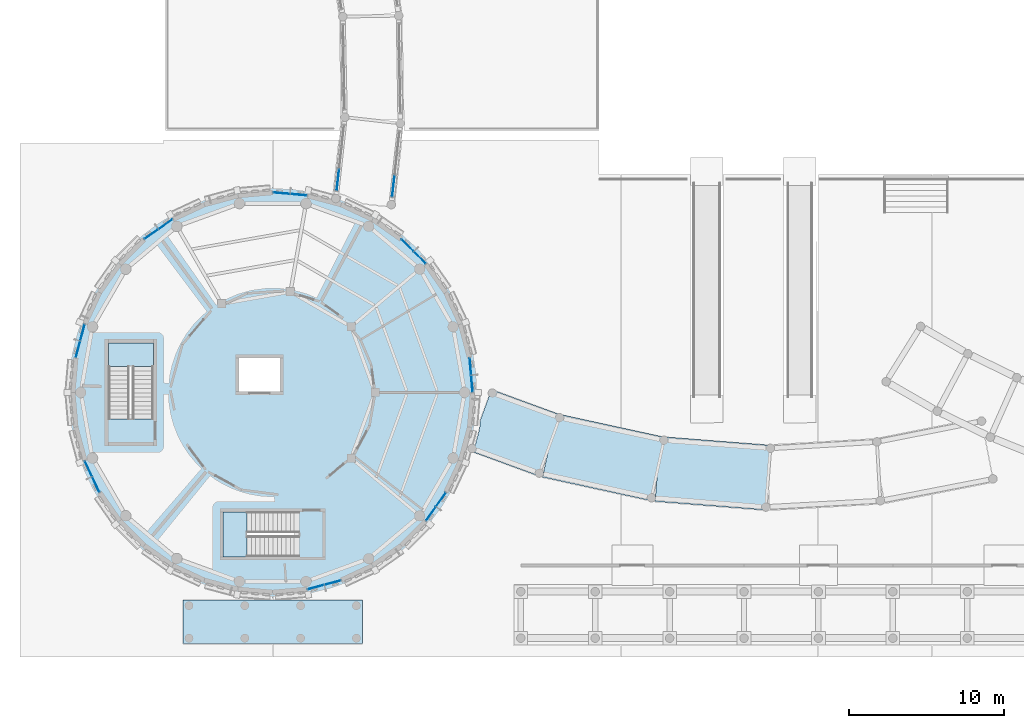
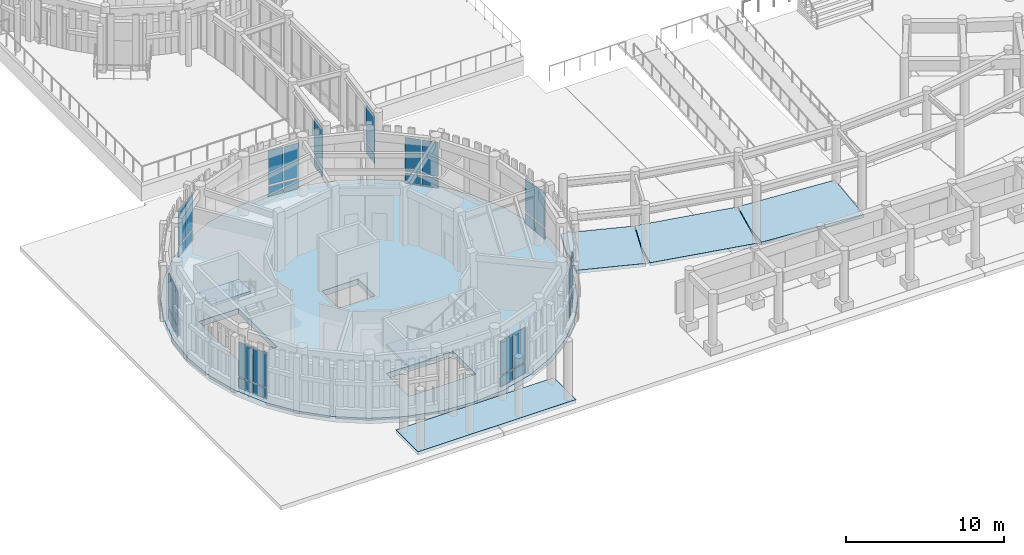
# One storey, part 32 of 94: 36 plates, 7 slabs, 12 elements without a shape of their own.
"""IFC4 building model written with IfcOpenShell, lengths in metres."""

import ifcopenshell
import ifcopenshell.guid

model = None  # the IFC model being written
_history = None  # IfcOwnerHistory: only IFC2X3 demands one
_inside = {}  # id of a spatial element -> (the spatial element, [elements in it])
_under = {}  # id of a project, library or spatial element -> (it, [spatial elements below it])
_declared = {}  # id of a project -> (the project, [libraries it declares])
_typed = {}  # id of a type object -> (the type object, [elements of that type])
_made_of = {}  # id of a material, layer set ... -> (it, [elements and type objects made of it])


def new_model(schema):
    """Start an empty IFC model of exactly this schema.

    Asked for "IFC4X3", IfcOpenShell would pick the latest addendum, in which some entities
    have other attributes; the version numbers below select the first issue.
    IFC2X3 requires an IfcOwnerHistory on every rooted entity: one is made here for all.
    """
    global model, _history
    if schema == "IFC4X3":
        model = ifcopenshell.file(schema_version=(4, 3, 0, 0))
    else:
        model = ifcopenshell.file(schema=schema)
    _inside.clear()
    _under.clear()
    _declared.clear()
    _typed.clear()
    _made_of.clear()
    _history = None
    if model.schema == "IFC2X3":
        org = make("IfcOrganization", Name="unknown")
        user = make(
            "IfcPersonAndOrganization",
            ThePerson=make("IfcPerson", FamilyName="unknown"),
            TheOrganization=org,
        )
        app = make(
            "IfcApplication",
            ApplicationDeveloper=org,
            Version="unknown",
            ApplicationFullName="unknown",
            ApplicationIdentifier="unknown",
        )
        _history = make(
            "IfcOwnerHistory",
            OwningUser=user,
            OwningApplication=app,
            ChangeAction="ADDED",
            CreationDate=0,
        )
    return model


def make(cls, **values):
    """One entity of the class cls with the attributes given. An attribute that is None is left unset."""
    return model.create_entity(
        cls, **{name: value for name, value in values.items() if value is not None}
    )


def rooted(cls, **values):
    """An entity with a GlobalId (a new one), such as an element, a storey or a relation."""
    return make(cls, GlobalId=ifcopenshell.guid.new(), OwnerHistory=_history, **values)


def si_unit(unit_type, name, prefix=None):
    """IfcSIUnit, for example si_unit("LENGTHUNIT", "METRE", prefix="MILLI")."""
    return make("IfcSIUnit", UnitType=unit_type, Prefix=prefix, Name=name)


def assignment(units):
    """IfcUnitAssignment: the units of a project."""
    return None if units is None else make("IfcUnitAssignment", Units=units)


def point(xyz):
    """IfcCartesianPoint."""
    return None if xyz is None else make("IfcCartesianPoint", Coordinates=xyz)


def direction(xyz):
    """IfcDirection."""
    return None if xyz is None else make("IfcDirection", DirectionRatios=xyz)


def frame(location, z_axis=None, x_axis=None):
    """IfcAxis2Placement3D, a coordinate frame: its origin and axes. An axis left out is left unset."""
    return make(
        "IfcAxis2Placement3D",
        Location=point(location),
        Axis=direction(z_axis),
        RefDirection=direction(x_axis),
    )


def frame_2d(location, x_axis=None):
    """IfcAxis2Placement2D, a coordinate frame in the plane: its origin and x axis."""
    return make(
        "IfcAxis2Placement2D", Location=point(location), RefDirection=direction(x_axis)
    )


def origin():
    """The frame at (0, 0, 0) with its axes left unset."""
    return frame((0.0, 0.0, 0.0))


def origin_2d():
    """The frame at (0, 0) in the plane with its x axis left unset."""
    return frame_2d((0.0, 0.0))


def place(relative_to, where):
    """IfcLocalPlacement: puts the frame where relative to a parent placement (None: the world)."""
    return make(
        "IfcLocalPlacement", PlacementRelTo=relative_to, RelativePlacement=where
    )


def context(
    kind, dimensions, precision=None, world=None, true_north=None, identifier=None
):
    """IfcGeometricRepresentationContext, for example the 3D "Model" context."""
    return make(
        "IfcGeometricRepresentationContext",
        ContextIdentifier=identifier,
        ContextType=kind,
        CoordinateSpaceDimension=dimensions,
        Precision=precision,
        WorldCoordinateSystem=world,
        TrueNorth=true_north,
    )


def subcontext(parent, identifier, kind, view, scale=None):
    """IfcGeometricRepresentationSubContext, for example "Body" below "Model"."""
    return make(
        "IfcGeometricRepresentationSubContext",
        ContextIdentifier=identifier,
        ContextType=kind,
        ParentContext=parent,
        TargetScale=scale,
        TargetView=view,
    )


def project(units=None, contexts=None):
    """IfcProject with its units and contexts."""
    return rooted(
        "IfcProject",
        Name="project",
        RepresentationContexts=contexts,
        UnitsInContext=assignment(units),
    )


def spatial(cls, under=None, at=None, **own):
    """A site, building, storey or space (cls), placed at a placement, below another one or the project."""
    s = rooted(cls, ObjectPlacement=at, **own)
    if under is not None:
        _under.setdefault(under.id(), (under, []))[1].append(s)
    return s


def polyline(points):
    """IfcPolyline through the points."""
    return make("IfcPolyline", Points=[point(p) for p in points])


def profile(cls, at=None, kind="AREA", **sizes):
    """A parametric profile (cls). Its sizes go by their IFC names, for example OverallWidth=200.0."""
    return make(cls, ProfileType=kind, Position=at, **sizes)


def rectangle(**sizes):
    """IfcRectangleProfileDef."""
    return profile("IfcRectangleProfileDef", **sizes)


def outline(outer, holes=None, kind="AREA"):
    """IfcArbitraryClosedProfileDef: a profile drawn as a closed curve; with holes, ...WithVoids."""
    if holes is None:
        return make("IfcArbitraryClosedProfileDef", ProfileType=kind, OuterCurve=outer)
    return make(
        "IfcArbitraryProfileDefWithVoids",
        ProfileType=kind,
        OuterCurve=outer,
        InnerCurves=holes,
    )


def extrude(swept, where, along, depth):
    """IfcExtrudedAreaSolid: the profile swept, set in the frame where, extruded along a direction by depth."""
    return make(
        "IfcExtrudedAreaSolid",
        SweptArea=swept,
        Position=where,
        ExtrudedDirection=direction(along),
        Depth=depth,
    )


def shape(context_of_items, identifier, shape_type, items):
    """IfcShapeRepresentation: the items that make up one representation, for example the "Body"."""
    return make(
        "IfcShapeRepresentation",
        ContextOfItems=context_of_items,
        RepresentationIdentifier=identifier,
        RepresentationType=shape_type,
        Items=items,
    )


def material(Name=None, Category=None):
    """IfcMaterial."""
    return make("IfcMaterial", Name=Name, Category=Category)


def layer(
    of_material, thickness, ventilated=None, Name=None, Category=None, Priority=None
):
    """IfcMaterialLayer: one layer of a wall or slab, of a material (None: an air gap)."""
    return make(
        "IfcMaterialLayer",
        Material=of_material,
        LayerThickness=thickness,
        IsVentilated=ventilated,
        Name=Name,
        Category=Category,
        Priority=Priority,
    )


def layer_set(layers, Name=None):
    """IfcMaterialLayerSet."""
    return make("IfcMaterialLayerSet", MaterialLayers=layers, LayerSetName=Name)


def made_of(thing, what):
    """Note that an element or type object is made of a material, layer set ...; save() writes the relation."""
    if what is not None:
        _made_of.setdefault(what.id(), (what, []))[1].append(thing)
    return thing


def type_object(cls, material=None, **own):
    """A type object (cls), such as IfcWallType, which elements share."""
    return made_of(rooted(cls, **own), material)


def element(
    cls,
    number,
    at=None,
    inside=None,
    cuts=None,
    type_object=None,
    material=None,
    context=None,
    identifier="Body",
    shape_type=None,
    held_by="IfcProductDefinitionShape",
    body=None,
    shapes=None,
    **own,
):
    """One element of the class cls, such as IfcWall. Its Tag is "e" and its number.

    at: its placement. inside: the storey or other place that contains it. cuts: it is an
    opening in that element (IfcRelVoidsElement). A single representation is given by context,
    identifier, shape_type and body (its items); several are given by shapes. held_by: the class
    of the entity that holds the representations. save() writes the other relations.
    """
    e = rooted(cls, Tag="e%d" % number, ObjectPlacement=at, **own)
    if body is not None:
        shapes = [shape(context, identifier, shape_type, body)]
    if shapes is not None:
        e.Representation = make(held_by, Representations=shapes)
    if inside is not None:
        _inside.setdefault(inside.id(), (inside, []))[1].append(e)
    if cuts is not None:
        rooted(
            "IfcRelVoidsElement", RelatingBuildingElement=cuts, RelatedOpeningElement=e
        )
    if type_object is not None:
        _typed.setdefault(type_object.id(), (type_object, []))[1].append(e)
    return made_of(e, material)


def aggregate(whole, parts):
    """IfcRelAggregates: a whole, such as a stair, and the parts it consists of."""
    return rooted("IfcRelAggregates", RelatingObject=whole, RelatedObjects=parts)


def save(model, path):
    """Write the relations noted so far, then the file.

    IfcRelAggregates (storeys below a building ...), IfcRelContainedInSpatialStructure (elements
    in a storey), IfcRelDefinesByType, IfcRelAssociatesMaterial and IfcRelDeclares: one each for
    every whole, place, type object, material and project.
    """
    for whole, parts in _under.values():
        aggregate(whole, parts)
    for where, things in _inside.values():
        rooted(
            "IfcRelContainedInSpatialStructure",
            RelatedElements=things,
            RelatingStructure=where,
        )
    for kind, things in _typed.values():
        rooted("IfcRelDefinesByType", RelatedObjects=things, RelatingType=kind)
    for what, things in _made_of.values():
        rooted("IfcRelAssociatesMaterial", RelatedObjects=things, RelatingMaterial=what)
    for by, libraries in _declared.values():
        rooted("IfcRelDeclares", RelatingContext=by, RelatedDefinitions=libraries)
    model.write(path)


model = new_model("IFC4")

# Units and contexts
model_context = context("Model", 3, precision=1e-05, world=origin(), true_north=direction((0.0, 1.0)))
body_context = subcontext(model_context, "Body", "Model", "MODEL_VIEW")
ifc_project = project(units=[si_unit("LENGTHUNIT", "METRE"), si_unit("AREAUNIT", "SQUARE_METRE"), si_unit("VOLUMEUNIT", "CUBIC_METRE"), si_unit("PLANEANGLEUNIT", "RADIAN"), si_unit("MASSUNIT", "GRAM", prefix="KILO")], contexts=[model_context])

# Site, building, storey
site_placement = place(None, origin())
site = spatial("IfcSite", under=ifc_project, at=site_placement, CompositionType="ELEMENT")
building_placement = place(site_placement, origin())
building = spatial("IfcBuilding", under=site, at=building_placement, Name="Aldenvaro Health Centre", CompositionType="ELEMENT")
storey_placement = place(building_placement, origin())
storey = spatial("IfcBuildingStorey", under=building, at=storey_placement, Name="L00", CompositionType="ELEMENT", Elevation=0.0)

# Curtain wall, plates
ifc_material_1 = material(Name="Anodised Aluminium 6063-T6", Category="aluminium")
ifc_layer_1 = layer(ifc_material_1, 0.195068359375, Name="Anodised Aluminium 6063-T6", Category="aluminium")
ifc_layer_set_1 = layer_set([ifc_layer_1], Name="Anodised Aluminium 6063-T6")
curtain_wall_type_1 = type_object("IfcCurtainWallType", Name="CW-CLN-02", PredefinedType="NOTDEFINED", material=ifc_layer_set_1)
curtain_wall_1_placement = place(storey_placement, origin())
curtain_wall_1 = element("IfcCurtainWall", 1, at=curtain_wall_1_placement, inside=storey, type_object=curtain_wall_type_1, Name="D5 L00 curtain wall bay 04", PredefinedType="NOTDEFINED")
ifc_material_2 = material(Name="Low-E Double Glazing IGU", Category="glass")
ifc_layer_2 = layer(ifc_material_2, 0.028076171875, Name="Low-E Double Glazing IGU", Category="glass")
ifc_layer_set_2 = layer_set([ifc_layer_2], Name="Low-E Double Glazing IGU")
plate_type_1 = type_object("IfcPlateType", Name="CWP-IGU-28", PredefinedType="CURTAIN_PANEL", material=ifc_layer_set_2)
plate_1_placement = place(storey_placement, frame((29.34912109375, 11.590087890625, 0.96044921875), z_axis=(0.0, 0.0, 1.0), x_axis=(-0.573641397746, -0.819106553991, 0.0)))
plate_1 = element("IfcPlate", 2, at=plate_1_placement, type_object=plate_type_1, Name="D5 L00 curtain wall bay 04 vision glazing 1", PredefinedType="CURTAIN_PANEL", context=body_context, shape_type="SweptSolid", body=[
    extrude(rectangle(XDim=1.053955078125, YDim=0.028076171875, at=origin_2d()), origin(), (0.0, 0.0, 1.0), 2.638916015625),
])
plate_2_placement = place(storey_placement, frame((28.705078125, 10.66796875, 0.96044921875), z_axis=(0.0, 0.0, 1.0), x_axis=(-0.573641397746, -0.819106553991, 0.0)))
plate_2 = element("IfcPlate", 3, at=plate_2_placement, type_object=plate_type_1, Name="D5 L00 curtain wall bay 04 vision glazing 2", PredefinedType="CURTAIN_PANEL", context=body_context, shape_type="SweptSolid", body=[
    extrude(rectangle(XDim=1.053955078125, YDim=0.028076171875, at=origin_2d()), origin(), (0.0, 0.0, 1.0), 2.638916015625),
])

curtain_wall_2_placement = place(storey_placement, origin())
curtain_wall_2 = element("IfcCurtainWall", 4, at=curtain_wall_2_placement, inside=storey, type_object=curtain_wall_type_1, Name="D5 L00 curtain wall bay 08", PredefinedType="NOTDEFINED")
plate_3_placement = place(storey_placement, frame((22.368896484375, 6.23193359375, 0.96044921875), z_axis=(0.0, 0.0, 1.0), x_axis=(-0.9659242304, -0.258825000966, 0.0)))
plate_3 = element("IfcPlate", 5, at=plate_3_placement, type_object=plate_type_1, Name="D5 L00 curtain wall bay 08 vision glazing 1", PredefinedType="CURTAIN_PANEL", context=body_context, shape_type="SweptSolid", body=[
    extrude(rectangle(XDim=1.053955078125, YDim=0.028076171875, at=origin_2d()), origin(), (0.0, 0.0, 1.0), 2.638916015625),
])
plate_4_placement = place(storey_placement, frame((21.282958984375, 5.94189453125, 0.96044921875), z_axis=(0.0, 0.0, 1.0), x_axis=(-0.9659242304, -0.258825000966, 0.0)))
plate_4 = element("IfcPlate", 6, at=plate_4_placement, type_object=plate_type_1, Name="D5 L00 curtain wall bay 08 vision glazing 2", PredefinedType="CURTAIN_PANEL", context=body_context, shape_type="SweptSolid", body=[
    extrude(rectangle(XDim=1.053955078125, YDim=0.028076171875, at=origin_2d()), origin(), (0.0, 0.0, 1.0), 2.638916015625),
])

curtain_wall_3_placement = place(storey_placement, origin())
curtain_wall_3 = element("IfcCurtainWall", 7, at=curtain_wall_3_placement, inside=storey, type_object=curtain_wall_type_1, Name="D5 L00 curtain wall bay 16", PredefinedType="NOTDEFINED")
plate_5_placement = place(storey_placement, frame((7.091064453125, 12.55908203125, 0.96044921875), z_axis=(0.0, 0.0, 1.0), x_axis=(-0.422495879545, 0.906364844733, 0.0)))
plate_5 = element("IfcPlate", 8, at=plate_5_placement, type_object=plate_type_1, Name="D5 L00 curtain wall bay 16 vision glazing 1", PredefinedType="CURTAIN_PANEL", context=body_context, shape_type="SweptSolid", body=[
    extrude(rectangle(XDim=1.053955078125, YDim=0.028076171875, at=origin_2d()), origin(), (0.0, 0.0, 1.0), 2.638916015625),
])
plate_6_placement = place(storey_placement, frame((6.614990234375, 13.5791015625, 0.96044921875), z_axis=(0.0, 0.0, 1.0), x_axis=(-0.422495879545, 0.906364844733, 0.0)))
plate_6 = element("IfcPlate", 9, at=plate_6_placement, type_object=plate_type_1, Name="D5 L00 curtain wall bay 16 vision glazing 2", PredefinedType="CURTAIN_PANEL", context=body_context, shape_type="SweptSolid", body=[
    extrude(rectangle(XDim=1.053955078125, YDim=0.028076171875, at=origin_2d()), origin(), (0.0, 0.0, 1.0), 2.638916015625),
])

curtain_wall_4_placement = place(storey_placement, origin())
curtain_wall_4 = element("IfcCurtainWall", 10, at=curtain_wall_4_placement, inside=storey, type_object=curtain_wall_type_1, Name="D5 L00 curtain wall bay 20", PredefinedType="NOTDEFINED")
plate_7_placement = place(storey_placement, frame((5.94189453125, 21.282958984375, 0.96044921875), z_axis=(0.0, 0.0, 1.0), x_axis=(0.258825000966, 0.9659242304, 0.0)))
plate_7 = element("IfcPlate", 11, at=plate_7_placement, type_object=plate_type_1, Name="D5 L00 curtain wall bay 20 vision glazing 1", PredefinedType="CURTAIN_PANEL", context=body_context, shape_type="SweptSolid", body=[
    extrude(rectangle(XDim=1.053955078125, YDim=0.028076171875, at=origin_2d()), origin(), (0.0, 0.0, 1.0), 2.638916015625),
])
plate_8_placement = place(storey_placement, frame((6.23193359375, 22.368896484375, 0.96044921875), z_axis=(0.0, 0.0, 1.0), x_axis=(0.258825000966, 0.9659242304, 0.0)))
plate_8 = element("IfcPlate", 12, at=plate_8_placement, type_object=plate_type_1, Name="D5 L00 curtain wall bay 20 vision glazing 2", PredefinedType="CURTAIN_PANEL", context=body_context, shape_type="SweptSolid", body=[
    extrude(rectangle(XDim=1.053955078125, YDim=0.028076171875, at=origin_2d()), origin(), (0.0, 0.0, 1.0), 2.638916015625),
])

curtain_wall_5_placement = place(storey_placement, origin())
curtain_wall_5 = element("IfcCurtainWall", 13, at=curtain_wall_5_placement, inside=storey, type_object=curtain_wall_type_1, Name="D5 L00 curtain wall bay 24", PredefinedType="NOTDEFINED")
plate_9_placement = place(storey_placement, frame((10.66796875, 28.705078125, 0.96044921875), z_axis=(0.0, 0.0, 1.0), x_axis=(0.819106553991, 0.573641397746, 0.0)))
plate_9 = element("IfcPlate", 14, at=plate_9_placement, type_object=plate_type_1, Name="D5 L00 curtain wall bay 24 vision glazing 1", PredefinedType="CURTAIN_PANEL", context=body_context, shape_type="SweptSolid", body=[
    extrude(rectangle(XDim=1.053955078125, YDim=0.028076171875, at=origin_2d()), origin(), (0.0, 0.0, 1.0), 2.638916015625),
])
plate_10_placement = place(storey_placement, frame((11.590087890625, 29.34912109375, 0.96044921875), z_axis=(0.0, 0.0, 1.0), x_axis=(0.819106553991, 0.573641397746, 0.0)))
plate_10 = element("IfcPlate", 15, at=plate_10_placement, type_object=plate_type_1, Name="D5 L00 curtain wall bay 24 vision glazing 2", PredefinedType="CURTAIN_PANEL", context=body_context, shape_type="SweptSolid", body=[
    extrude(rectangle(XDim=1.053955078125, YDim=0.028076171875, at=origin_2d()), origin(), (0.0, 0.0, 1.0), 2.638916015625),
])

curtain_wall_6_placement = place(storey_placement, origin())
curtain_wall_6 = element("IfcCurtainWall", 16, at=curtain_wall_6_placement, inside=storey, type_object=curtain_wall_type_1, Name="D5 L00 curtain wall bay 28", PredefinedType="NOTDEFINED")
plate_11_placement = place(storey_placement, frame((19.06005859375, 31.35107421875, 0.96044921875), z_axis=(0.0, 0.0, 1.0), x_axis=(0.996193717495, -0.087166950289, 0.0)))
plate_11 = element("IfcPlate", 17, at=plate_11_placement, type_object=plate_type_1, Name="D5 L00 curtain wall bay 28 vision glazing 1", PredefinedType="CURTAIN_PANEL", context=body_context, shape_type="SweptSolid", body=[
    extrude(rectangle(XDim=1.053955078125, YDim=0.028076171875, at=origin_2d()), origin(), (0.0, 0.0, 1.0), 2.638916015625),
])
plate_12_placement = place(storey_placement, frame((20.179931640625, 31.2529296875, 0.96044921875), z_axis=(0.0, 0.0, 1.0), x_axis=(0.996193717495, -0.087166950289, 0.0)))
plate_12 = element("IfcPlate", 18, at=plate_12_placement, type_object=plate_type_1, Name="D5 L00 curtain wall bay 28 vision glazing 2", PredefinedType="CURTAIN_PANEL", context=body_context, shape_type="SweptSolid", body=[
    extrude(rectangle(XDim=1.053955078125, YDim=0.028076171875, at=origin_2d()), origin(), (0.0, 0.0, 1.0), 2.638916015625),
])

curtain_wall_7_placement = place(storey_placement, origin())
curtain_wall_7 = element("IfcCurtainWall", 19, at=curtain_wall_7_placement, inside=storey, type_object=curtain_wall_type_1, Name="D5 L00 curtain wall bay 32", PredefinedType="NOTDEFINED")
plate_13_placement = place(storey_placement, frame((27.18994140625, 27.985107421875, 0.96044921875), z_axis=(0.0, 0.0, 1.0), x_axis=(0.707106781187, -0.707106781187, 0.0)))
plate_13 = element("IfcPlate", 20, at=plate_13_placement, type_object=plate_type_1, Name="D5 L00 curtain wall bay 32 vision glazing 1", PredefinedType="CURTAIN_PANEL", context=body_context, shape_type="SweptSolid", body=[
    extrude(rectangle(XDim=1.053955078125, YDim=0.028076171875, at=origin_2d()), origin(), (0.0, 0.0, 1.0), 2.638916015625),
])
plate_14_placement = place(storey_placement, frame((27.985107421875, 27.18994140625, 0.96044921875), z_axis=(0.0, 0.0, 1.0), x_axis=(0.707106781187, -0.707106781187, 0.0)))
plate_14 = element("IfcPlate", 21, at=plate_14_placement, type_object=plate_type_1, Name="D5 L00 curtain wall bay 32 vision glazing 2", PredefinedType="CURTAIN_PANEL", context=body_context, shape_type="SweptSolid", body=[
    extrude(rectangle(XDim=1.053955078125, YDim=0.028076171875, at=origin_2d()), origin(), (0.0, 0.0, 1.0), 2.638916015625),
])

curtain_wall_8_placement = place(storey_placement, origin())
curtain_wall_8 = element("IfcCurtainWall", 22, at=curtain_wall_8_placement, inside=storey, type_object=curtain_wall_type_1, Name="D5 L00 curtain wall bay 36", PredefinedType="NOTDEFINED")
plate_15_placement = place(storey_placement, frame((31.2529296875, 20.179931640625, 0.96044921875), z_axis=(0.0, 0.0, 1.0), x_axis=(0.087166950289, -0.996193717495, 0.0)))
plate_15 = element("IfcPlate", 23, at=plate_15_placement, type_object=plate_type_1, Name="D5 L00 curtain wall bay 36 vision glazing 1", PredefinedType="CURTAIN_PANEL", context=body_context, shape_type="SweptSolid", body=[
    extrude(rectangle(XDim=1.053955078125, YDim=0.028076171875, at=origin_2d()), origin(), (0.0, 0.0, 1.0), 2.638916015625),
])
plate_16_placement = place(storey_placement, frame((31.35107421875, 19.06005859375, 0.96044921875), z_axis=(0.0, 0.0, 1.0), x_axis=(0.087166950289, -0.996193717495, 0.0)))
plate_16 = element("IfcPlate", 24, at=plate_16_placement, type_object=plate_type_1, Name="D5 L00 curtain wall bay 36 vision glazing 2", PredefinedType="CURTAIN_PANEL", context=body_context, shape_type="SweptSolid", body=[
    extrude(rectangle(XDim=1.053955078125, YDim=0.028076171875, at=origin_2d()), origin(), (0.0, 0.0, 1.0), 2.638916015625),
])

# Curtain wall, plate
ifc_layer_3 = layer(ifc_material_1, 0.2099609375, Name="Anodised Aluminium 6063-T6", Category="aluminium")
ifc_layer_set_3 = layer_set([ifc_layer_3], Name="Anodised Aluminium 6063-T6")
curtain_wall_type_2 = type_object("IfcCurtainWallType", Name="CW-BRG-03", PredefinedType="NOTDEFINED", material=ifc_layer_set_3)
curtain_wall_9_placement = place(storey_placement, origin())
curtain_wall_9 = element("IfcCurtainWall", 25, at=curtain_wall_9_placement, inside=storey, type_object=curtain_wall_type_2, Name="West South Curved Garden Walkway Arc 1 L00 glazed link wall L-1.1", PredefinedType="NOTDEFINED")
plate_17_placement = place(storey_placement, frame((22.705078125, 32.2109375, 0.96044921875), z_axis=(0.0, 0.0, 1.0), x_axis=(0.110252441518, 0.993903616625, 0.0)))
plate_17 = element("IfcPlate", 26, at=plate_17_placement, type_object=plate_type_1, Name="West South Curved Garden Walkway Arc 1 L00 glazed link wall L-1.1 vision glazing 1", PredefinedType="CURTAIN_PANEL", context=body_context, shape_type="SweptSolid", body=[
    extrude(rectangle(XDim=1.360107421875, YDim=0.028076171875, at=origin_2d()), origin(), (0.0, 0.0, 1.0), 2.784912109375),
])

curtain_wall_10_placement = place(storey_placement, origin())
curtain_wall_10 = element("IfcCurtainWall", 27, at=curtain_wall_10_placement, inside=storey, type_object=curtain_wall_type_2, Name="West South Curved Garden Walkway Arc 1 L00 glazed link wall R-1.1", PredefinedType="NOTDEFINED")
plate_18_placement = place(storey_placement, frame((26.282958984375, 31.81396484375, 0.96044921875), z_axis=(0.0, 0.0, 1.0), x_axis=(0.110277989687, 0.993900782267, 0.0)))
plate_18 = element("IfcPlate", 28, at=plate_18_placement, type_object=plate_type_1, Name="West South Curved Garden Walkway Arc 1 L00 glazed link wall R-1.1 vision glazing 1", PredefinedType="CURTAIN_PANEL", context=body_context, shape_type="SweptSolid", body=[
    extrude(rectangle(XDim=1.360107421875, YDim=0.028076171875, at=origin_2d()), origin(), (0.0, 0.0, 1.0), 2.784912109375),
])

# Plate
ifc_material_3 = material(Name="Insulated Aluminium Spandrel", Category="aluminium")
ifc_layer_4 = layer(ifc_material_3, 0.035888671875, Name="Insulated Aluminium Spandrel", Category="aluminium")
ifc_layer_set_4 = layer_set([ifc_layer_4], Name="Insulated Aluminium Spandrel")
plate_type_2 = type_object("IfcPlateType", Name="CWP-SPN-36", PredefinedType="CURTAIN_PANEL", material=ifc_layer_set_4)
plate_19_placement = place(storey_placement, frame((29.34912109375, 11.590087890625, 0.06005859375), z_axis=(0.0, 0.0, 1.0), x_axis=(-0.573641397746, -0.819106553991, 0.0)))
plate_19 = element("IfcPlate", 29, at=plate_19_placement, type_object=plate_type_2, Name="D5 L00 curtain wall bay 04 spandrel panel 1", PredefinedType="CURTAIN_PANEL", context=body_context, shape_type="SweptSolid", body=[
    extrude(rectangle(XDim=1.053955078125, YDim=0.035888671875, at=origin_2d()), origin(), (0.0, 0.0, 1.0), 0.780029296875),
])

plate_20_placement = place(storey_placement, frame((28.705078125, 10.66796875, 0.06005859375), z_axis=(0.0, 0.0, 1.0), x_axis=(-0.573641397746, -0.819106553991, 0.0)))
plate_20 = element("IfcPlate", 30, at=plate_20_placement, type_object=plate_type_2, Name="D5 L00 curtain wall bay 04 spandrel panel 2", PredefinedType="CURTAIN_PANEL", context=body_context, shape_type="SweptSolid", body=[
    extrude(rectangle(XDim=1.053955078125, YDim=0.035888671875, at=origin_2d()), origin(), (0.0, 0.0, 1.0), 0.780029296875),
])

aggregate(curtain_wall_1, [plate_19, plate_1, plate_20, plate_2])

plate_21_placement = place(storey_placement, frame((22.368896484375, 6.23193359375, 0.06005859375), z_axis=(0.0, 0.0, 1.0), x_axis=(-0.9659242304, -0.258825000966, 0.0)))
plate_21 = element("IfcPlate", 31, at=plate_21_placement, type_object=plate_type_2, Name="D5 L00 curtain wall bay 08 spandrel panel 1", PredefinedType="CURTAIN_PANEL", context=body_context, shape_type="SweptSolid", body=[
    extrude(rectangle(XDim=1.053955078125, YDim=0.035888671875, at=origin_2d()), origin(), (0.0, 0.0, 1.0), 0.780029296875),
])

plate_22_placement = place(storey_placement, frame((21.282958984375, 5.94189453125, 0.06005859375), z_axis=(0.0, 0.0, 1.0), x_axis=(-0.9659242304, -0.258825000966, 0.0)))
plate_22 = element("IfcPlate", 32, at=plate_22_placement, type_object=plate_type_2, Name="D5 L00 curtain wall bay 08 spandrel panel 2", PredefinedType="CURTAIN_PANEL", context=body_context, shape_type="SweptSolid", body=[
    extrude(rectangle(XDim=1.053955078125, YDim=0.035888671875, at=origin_2d()), origin(), (0.0, 0.0, 1.0), 0.780029296875),
])

aggregate(curtain_wall_2, [plate_21, plate_3, plate_22, plate_4])

plate_23_placement = place(storey_placement, frame((7.091064453125, 12.55908203125, 0.06005859375), z_axis=(0.0, 0.0, 1.0), x_axis=(-0.422495879545, 0.906364844733, 0.0)))
plate_23 = element("IfcPlate", 33, at=plate_23_placement, type_object=plate_type_2, Name="D5 L00 curtain wall bay 16 spandrel panel 1", PredefinedType="CURTAIN_PANEL", context=body_context, shape_type="SweptSolid", body=[
    extrude(rectangle(XDim=1.053955078125, YDim=0.035888671875, at=origin_2d()), origin(), (0.0, 0.0, 1.0), 0.780029296875),
])

plate_24_placement = place(storey_placement, frame((6.614990234375, 13.5791015625, 0.06005859375), z_axis=(0.0, 0.0, 1.0), x_axis=(-0.422495879545, 0.906364844733, 0.0)))
plate_24 = element("IfcPlate", 34, at=plate_24_placement, type_object=plate_type_2, Name="D5 L00 curtain wall bay 16 spandrel panel 2", PredefinedType="CURTAIN_PANEL", context=body_context, shape_type="SweptSolid", body=[
    extrude(rectangle(XDim=1.053955078125, YDim=0.035888671875, at=origin_2d()), origin(), (0.0, 0.0, 1.0), 0.780029296875),
])

aggregate(curtain_wall_3, [plate_23, plate_5, plate_24, plate_6])

plate_25_placement = place(storey_placement, frame((5.94189453125, 21.282958984375, 0.06005859375), z_axis=(0.0, 0.0, 1.0), x_axis=(0.258825000966, 0.9659242304, 0.0)))
plate_25 = element("IfcPlate", 35, at=plate_25_placement, type_object=plate_type_2, Name="D5 L00 curtain wall bay 20 spandrel panel 1", PredefinedType="CURTAIN_PANEL", context=body_context, shape_type="SweptSolid", body=[
    extrude(rectangle(XDim=1.053955078125, YDim=0.035888671875, at=origin_2d()), origin(), (0.0, 0.0, 1.0), 0.780029296875),
])

plate_26_placement = place(storey_placement, frame((6.23193359375, 22.368896484375, 0.06005859375), z_axis=(0.0, 0.0, 1.0), x_axis=(0.258825000966, 0.9659242304, 0.0)))
plate_26 = element("IfcPlate", 36, at=plate_26_placement, type_object=plate_type_2, Name="D5 L00 curtain wall bay 20 spandrel panel 2", PredefinedType="CURTAIN_PANEL", context=body_context, shape_type="SweptSolid", body=[
    extrude(rectangle(XDim=1.053955078125, YDim=0.035888671875, at=origin_2d()), origin(), (0.0, 0.0, 1.0), 0.780029296875),
])

aggregate(curtain_wall_4, [plate_25, plate_7, plate_26, plate_8])

plate_27_placement = place(storey_placement, frame((10.66796875, 28.705078125, 0.06005859375), z_axis=(0.0, 0.0, 1.0), x_axis=(0.819106553991, 0.573641397746, 0.0)))
plate_27 = element("IfcPlate", 37, at=plate_27_placement, type_object=plate_type_2, Name="D5 L00 curtain wall bay 24 spandrel panel 1", PredefinedType="CURTAIN_PANEL", context=body_context, shape_type="SweptSolid", body=[
    extrude(rectangle(XDim=1.053955078125, YDim=0.035888671875, at=origin_2d()), origin(), (0.0, 0.0, 1.0), 0.780029296875),
])

plate_28_placement = place(storey_placement, frame((11.590087890625, 29.34912109375, 0.06005859375), z_axis=(0.0, 0.0, 1.0), x_axis=(0.819106553991, 0.573641397746, 0.0)))
plate_28 = element("IfcPlate", 38, at=plate_28_placement, type_object=plate_type_2, Name="D5 L00 curtain wall bay 24 spandrel panel 2", PredefinedType="CURTAIN_PANEL", context=body_context, shape_type="SweptSolid", body=[
    extrude(rectangle(XDim=1.053955078125, YDim=0.035888671875, at=origin_2d()), origin(), (0.0, 0.0, 1.0), 0.780029296875),
])

aggregate(curtain_wall_5, [plate_27, plate_9, plate_28, plate_10])

plate_29_placement = place(storey_placement, frame((19.06005859375, 31.35107421875, 0.06005859375), z_axis=(0.0, 0.0, 1.0), x_axis=(0.996193717495, -0.087166950289, 0.0)))
plate_29 = element("IfcPlate", 39, at=plate_29_placement, type_object=plate_type_2, Name="D5 L00 curtain wall bay 28 spandrel panel 1", PredefinedType="CURTAIN_PANEL", context=body_context, shape_type="SweptSolid", body=[
    extrude(rectangle(XDim=1.053955078125, YDim=0.035888671875, at=origin_2d()), origin(), (0.0, 0.0, 1.0), 0.780029296875),
])

plate_30_placement = place(storey_placement, frame((20.179931640625, 31.2529296875, 0.06005859375), z_axis=(0.0, 0.0, 1.0), x_axis=(0.996193717495, -0.087166950289, 0.0)))
plate_30 = element("IfcPlate", 40, at=plate_30_placement, type_object=plate_type_2, Name="D5 L00 curtain wall bay 28 spandrel panel 2", PredefinedType="CURTAIN_PANEL", context=body_context, shape_type="SweptSolid", body=[
    extrude(rectangle(XDim=1.053955078125, YDim=0.035888671875, at=origin_2d()), origin(), (0.0, 0.0, 1.0), 0.780029296875),
])

aggregate(curtain_wall_6, [plate_29, plate_11, plate_30, plate_12])

plate_31_placement = place(storey_placement, frame((27.18994140625, 27.985107421875, 0.06005859375), z_axis=(0.0, 0.0, 1.0), x_axis=(0.707106781187, -0.707106781187, 0.0)))
plate_31 = element("IfcPlate", 41, at=plate_31_placement, type_object=plate_type_2, Name="D5 L00 curtain wall bay 32 spandrel panel 1", PredefinedType="CURTAIN_PANEL", context=body_context, shape_type="SweptSolid", body=[
    extrude(rectangle(XDim=1.053955078125, YDim=0.035888671875, at=origin_2d()), origin(), (0.0, 0.0, 1.0), 0.780029296875),
])

plate_32_placement = place(storey_placement, frame((27.985107421875, 27.18994140625, 0.06005859375), z_axis=(0.0, 0.0, 1.0), x_axis=(0.707106781187, -0.707106781187, 0.0)))
plate_32 = element("IfcPlate", 42, at=plate_32_placement, type_object=plate_type_2, Name="D5 L00 curtain wall bay 32 spandrel panel 2", PredefinedType="CURTAIN_PANEL", context=body_context, shape_type="SweptSolid", body=[
    extrude(rectangle(XDim=1.053955078125, YDim=0.035888671875, at=origin_2d()), origin(), (0.0, 0.0, 1.0), 0.780029296875),
])

aggregate(curtain_wall_7, [plate_31, plate_13, plate_32, plate_14])

plate_33_placement = place(storey_placement, frame((31.2529296875, 20.179931640625, 0.06005859375), z_axis=(0.0, 0.0, 1.0), x_axis=(0.087166950289, -0.996193717495, 0.0)))
plate_33 = element("IfcPlate", 43, at=plate_33_placement, type_object=plate_type_2, Name="D5 L00 curtain wall bay 36 spandrel panel 1", PredefinedType="CURTAIN_PANEL", context=body_context, shape_type="SweptSolid", body=[
    extrude(rectangle(XDim=1.053955078125, YDim=0.035888671875, at=origin_2d()), origin(), (0.0, 0.0, 1.0), 0.780029296875),
])

plate_34_placement = place(storey_placement, frame((31.35107421875, 19.06005859375, 0.06005859375), z_axis=(0.0, 0.0, 1.0), x_axis=(0.087166950289, -0.996193717495, 0.0)))
plate_34 = element("IfcPlate", 44, at=plate_34_placement, type_object=plate_type_2, Name="D5 L00 curtain wall bay 36 spandrel panel 2", PredefinedType="CURTAIN_PANEL", context=body_context, shape_type="SweptSolid", body=[
    extrude(rectangle(XDim=1.053955078125, YDim=0.035888671875, at=origin_2d()), origin(), (0.0, 0.0, 1.0), 0.780029296875),
])

aggregate(curtain_wall_8, [plate_33, plate_15, plate_34, plate_16])

plate_35_placement = place(storey_placement, frame((22.705078125, 32.2109375, 0.06005859375), z_axis=(0.0, 0.0, 1.0), x_axis=(0.110252441518, 0.993903616625, 0.0)))
plate_35 = element("IfcPlate", 45, at=plate_35_placement, type_object=plate_type_2, Name="West South Curved Garden Walkway Arc 1 L00 glazed link wall L-1.1 spandrel panel 1", PredefinedType="CURTAIN_PANEL", context=body_context, shape_type="SweptSolid", body=[
    extrude(rectangle(XDim=1.360107421875, YDim=0.035888671875, at=origin_2d()), origin(), (0.0, 0.0, 1.0), 0.780029296875),
])

aggregate(curtain_wall_9, [plate_35, plate_17])

plate_36_placement = place(storey_placement, frame((26.282958984375, 31.81396484375, 0.06005859375), z_axis=(0.0, 0.0, 1.0), x_axis=(0.110277989687, 0.993900782267, 0.0)))
plate_36 = element("IfcPlate", 46, at=plate_36_placement, type_object=plate_type_2, Name="West South Curved Garden Walkway Arc 1 L00 glazed link wall R-1.1 spandrel panel 1", PredefinedType="CURTAIN_PANEL", context=body_context, shape_type="SweptSolid", body=[
    extrude(rectangle(XDim=1.360107421875, YDim=0.035888671875, at=origin_2d()), origin(), (0.0, 0.0, 1.0), 0.780029296875),
])

aggregate(curtain_wall_10, [plate_36, plate_18])

# Slabs
ifc_material_4 = material(Name="Concrete f'c 40 MPa", Category="concrete")
ifc_layer_5 = layer(ifc_material_4, 0.260009765625, Name="Concrete f'c 40 MPa", Category="concrete")
ifc_layer_set_5 = layer_set([ifc_layer_5], Name="Concrete f'c 40 MPa")
slab_type_1 = type_object("IfcSlabType", Name="SLB-COL-260", PredefinedType="FLOOR", material=ifc_layer_set_5)
slab_1_placement = place(storey_placement, frame((0.0, 0.0, -0.260009765625)))
element("IfcSlab", 47, at=slab_1_placement, inside=storey, type_object=slab_type_1, Name="South West Curved Peristyle Walkway Arc 1 L00 deck slab", PredefinedType="FLOOR", context=body_context, shape_type="SweptSolid", body=[
    extrude(outline(polyline([(32.614990234375, 18.68896484375), (37.074951171875, 17.056884765625), (35.631103515625, 13.113037109375), (31.44189453125, 14.64599609375), (31.843994140625, 16.14697265625), (31.89404296875, 16.717041015625), (32.614990234375, 18.68896484375)])), origin(), (0.0, 0.0, 1.0), 0.260009765625),
])
slab_2_placement = place(storey_placement, frame((0.0, 0.0, -0.260009765625)))
element("IfcSlab", 48, at=slab_2_placement, inside=storey, type_object=slab_type_1, Name="South West Curved Peristyle Walkway Arc 2 L00 deck slab", PredefinedType="FLOOR", context=body_context, shape_type="SweptSolid", body=[
    extrude(outline(polyline([(43.779052734375, 15.614990234375), (42.883056640625, 11.510986328125), (35.905029296875, 13.032958984375), (36.2900390625, 14.797119140625), (37.12109375, 17.06689453125), (43.779052734375, 15.614990234375)])), origin(), (0.0, 0.0, 1.0), 0.260009765625),
])
slab_3_placement = place(storey_placement, frame((0.0, 0.0, -0.260009765625)))
element("IfcSlab", 49, at=slab_3_placement, inside=storey, type_object=slab_type_1, Name="South West Curved Peristyle Walkway Arc 3 L00 deck slab", PredefinedType="FLOOR", context=body_context, shape_type="SweptSolid", body=[
    extrude(outline(polyline([(50.614990234375, 15.096923828125), (50.284912109375, 10.908935546875), (43.166015625, 11.468994140625), (43.30810546875, 13.27001953125), (43.822998046875, 15.631103515625), (50.614990234375, 15.096923828125)])), origin(), (0.0, 0.0, 1.0), 0.260009765625),
])
slab_4_placement = place(storey_placement, frame((0.0, 0.0, -0.260009765625)))
element("IfcSlab", 50, at=slab_4_placement, inside=storey, type_object=slab_type_1, Name="Pavilion Tetrastyle Portico W5 Stylobate", PredefinedType="FLOOR", context=body_context, shape_type="SweptSolid", body=[
    extrude(outline(polyline([(12.719970703125, 2.300048828125), (24.280029296875, 2.300048828125), (24.280029296875, 5.10009765625), (12.719970703125, 5.10009765625), (12.719970703125, 2.300048828125)])), origin(), (0.0, 0.0, 1.0), 0.260009765625),
])
ifc_layer_6 = layer(ifc_material_4, 0.431884765625, Name="Concrete f'c 40 MPa", Category="concrete")
ifc_layer_set_6 = layer_set([ifc_layer_6], Name="Concrete f'c 40 MPa")
slab_type_2 = type_object("IfcSlabType", Name="SLB-IMG-340", PredefinedType="FLOOR", material=ifc_layer_set_6)
slab_5_placement = place(storey_placement, frame((0.0, 0.0, -0.431884765625)))
element("IfcSlab", 51, at=slab_5_placement, inside=storey, type_object=slab_type_2, Name="D5 L00 floor slab", PredefinedType="FLOOR", context=body_context, shape_type="SweptSolid", body=[
    extrude(outline(polyline([(31.719970703125, 18.5), (31.51904296875, 20.7958984375), (30.923095703125, 23.02197265625), (29.948974609375, 25.110107421875), (28.626953125, 26.998046875), (26.998046875, 28.626953125), (25.110107421875, 29.948974609375), (23.02197265625, 30.923095703125), (20.7958984375, 31.51904296875), (18.5, 31.719970703125), (16.2041015625, 31.51904296875), (13.97802734375, 30.923095703125), (11.889892578125, 29.948974609375), (10.001953125, 28.626953125), (8.373046875, 26.998046875), (7.051025390625, 25.110107421875), (6.076904296875, 23.02197265625), (5.48095703125, 20.7958984375), (5.280029296875, 18.5), (5.48095703125, 16.2041015625), (6.076904296875, 13.97802734375), (7.051025390625, 11.889892578125), (8.373046875, 10.001953125), (10.001953125, 8.373046875), (11.889892578125, 7.051025390625), (13.97802734375, 6.076904296875), (16.2041015625, 5.48095703125), (18.5, 5.280029296875), (20.7958984375, 5.48095703125), (23.02197265625, 6.076904296875), (25.110107421875, 7.051025390625), (26.998046875, 8.373046875), (28.626953125, 10.001953125), (29.948974609375, 11.889892578125), (30.923095703125, 13.97802734375), (31.51904296875, 16.2041015625), (31.719970703125, 18.5)]), holes=[polyline([(10.800048828125, 16.800048828125), (10.800048828125, 21.699951171875), (7.89990234375, 21.699951171875), (7.89990234375, 16.800048828125), (10.800048828125, 16.800048828125)]), polyline([(20.199951171875, 10.800048828125), (15.300048828125, 10.800048828125), (15.300048828125, 7.89990234375), (20.199951171875, 7.89990234375), (20.199951171875, 10.800048828125)]), polyline([(16.324951171875, 18.574951171875), (18.97509765625, 18.574951171875), (18.97509765625, 20.72509765625), (16.324951171875, 20.72509765625), (16.324951171875, 18.574951171875)])]), origin(), (0.0, 0.0, 1.0), 0.431884765625),
])

# Stair, slab
stair_type = type_object("IfcStairType", Name="STR-DOG-455", PredefinedType="HALF_TURN_STAIR", material=ifc_material_4)
stair_1_placement = place(storey_placement, origin())
stair_1 = element("IfcStair", 52, at=stair_1_placement, inside=storey, type_object=stair_type, Name="L00 Exit Stair ST-09", PredefinedType="HALF_TURN_STAIR")
ifc_layer_7 = layer(ifc_material_4, 0.199951171875, Name="Concrete f'c 40 MPa", Category="concrete")
ifc_layer_set_7 = layer_set([ifc_layer_7], Name="Concrete f'c 40 MPa")
slab_type_3 = type_object("IfcSlabType", Name="SLB-LND-200", PredefinedType="LANDING", material=ifc_layer_set_7)
slab_6_placement = place(storey_placement, frame((0.0, 0.0, 2.074951171875)))
slab_6 = element("IfcSlab", 53, at=slab_6_placement, type_object=slab_type_3, Name="ST-09 landing 1", PredefinedType="LANDING", context=body_context, shape_type="SweptSolid", body=[
    extrude(outline(polyline([(10.800048828125, 20.159912109375), (10.800048828125, 21.699951171875), (7.89990234375, 21.699951171875), (7.89990234375, 20.159912109375), (10.800048828125, 20.159912109375)])), origin(), (0.0, 0.0, 1.0), 0.199951171875),
])
aggregate(stair_1, [slab_6])

stair_2_placement = place(storey_placement, origin())
stair_2 = element("IfcStair", 54, at=stair_2_placement, inside=storey, type_object=stair_type, Name="L00 Exit Stair ST-10", PredefinedType="HALF_TURN_STAIR")
slab_7_placement = place(storey_placement, frame((0.0, 0.0, 2.074951171875)))
slab_7 = element("IfcSlab", 55, at=slab_7_placement, type_object=slab_type_3, Name="ST-10 landing 1", PredefinedType="LANDING", context=body_context, shape_type="SweptSolid", body=[
    extrude(outline(polyline([(16.840087890625, 10.800048828125), (15.300048828125, 10.800048828125), (15.300048828125, 7.89990234375), (16.840087890625, 7.89990234375), (16.840087890625, 10.800048828125)])), origin(), (0.0, 0.0, 1.0), 0.199951171875),
])
aggregate(stair_2, [slab_7])

save(model, "model.ifc")
